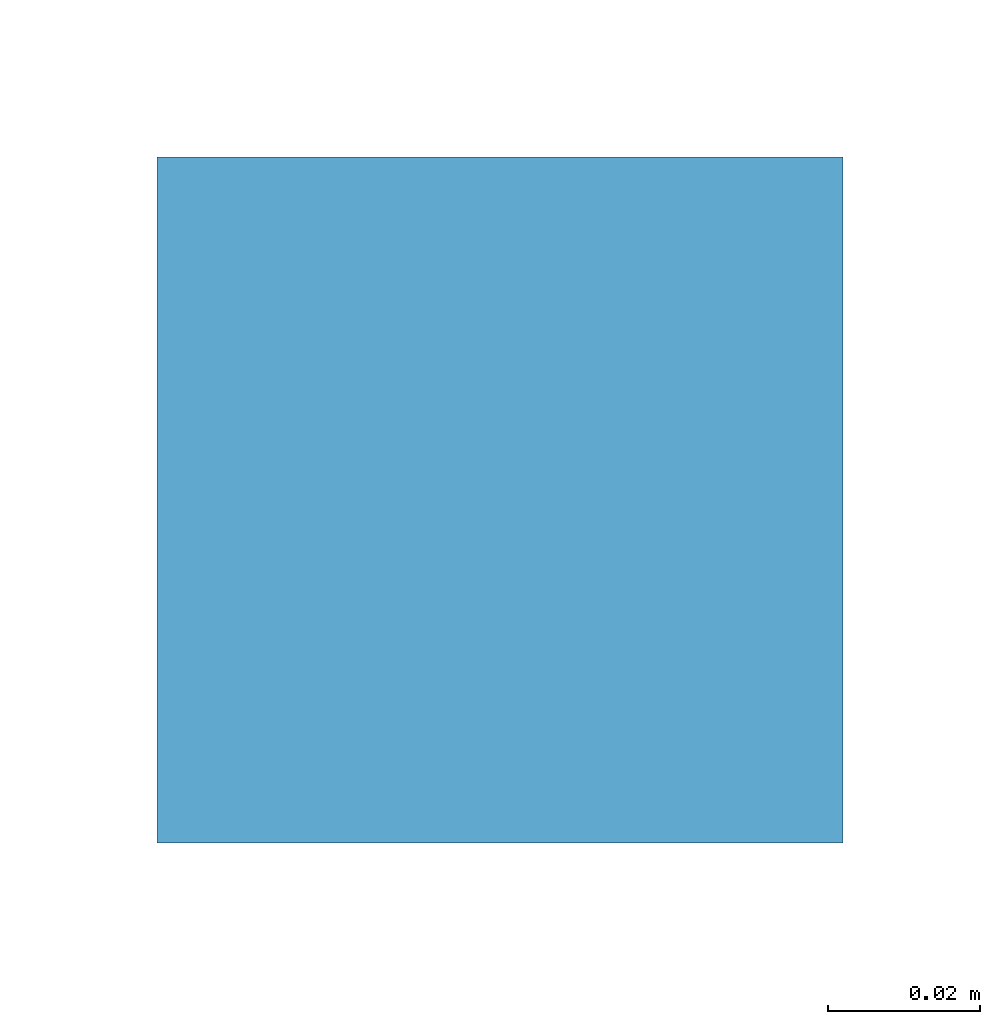
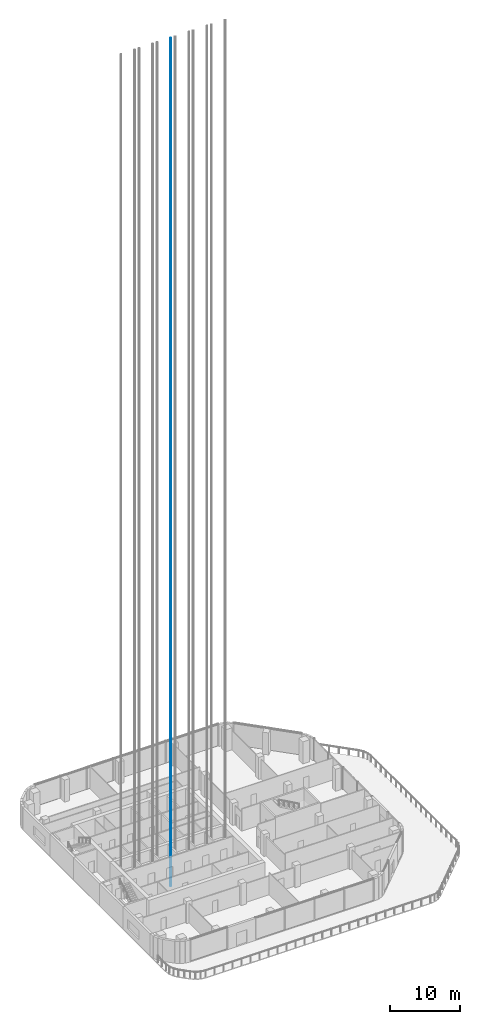
# One storey, part 10 of 29: 1 member.
"""IFC4 building model written with IfcOpenShell, lengths in metres."""

from ifc_helpers import new_model, si_unit, direction, frame, origin, origin_2d, place, context, subcontext, project, spatial, rectangle, extrude, material, material_profile, profile_set, type_object, element, save


model = new_model("IFC4")

# Units and contexts
model_context = context("Model", 3, precision=1e-05, world=origin(), true_north=direction((0.0, 1.0)))
body_context = subcontext(model_context, "Body", "Model", "MODEL_VIEW")
ifc_project = project(units=[si_unit("LENGTHUNIT", "METRE"), si_unit("AREAUNIT", "SQUARE_METRE"), si_unit("VOLUMEUNIT", "CUBIC_METRE"), si_unit("PLANEANGLEUNIT", "RADIAN"), si_unit("MASSUNIT", "GRAM", prefix="KILO")], contexts=[model_context])

# Site, building, storey
site_placement = place(None, origin())
site = spatial("IfcSite", under=ifc_project, at=site_placement, CompositionType="ELEMENT")
building_placement = place(site_placement, origin())
building = spatial("IfcBuilding", under=site, at=building_placement, Name="Cinnabar Reach Civic Tower", CompositionType="ELEMENT")
storey_placement = place(building_placement, frame((0.0, 0.0, 149.0)))
storey = spatial("IfcBuildingStorey", under=building, at=storey_placement, Name="L35", CompositionType="ELEMENT", Elevation=149.0)

# Member
ifc_material = material(Name="Steel Q355B", Category="steel")
ifc_material_profile = material_profile(ifc_material, rectangle(XDim=0.09, YDim=0.09, at=origin_2d()), Name="T1 lift guide rail")
ifc_profile_set = profile_set([ifc_material_profile], Name="Steel Q355B")
member_type = type_object("IfcMemberType", Name="T1 lift guide rail", PredefinedType="USERDEFINED", material=ifc_profile_set)
member_placement = place(storey_placement, frame((13.13, 30.0, -2.5), z_axis=(0.0, 0.0, 1.0), x_axis=(1.0, 0.0, 0.0)))
element("IfcMember", 1, at=member_placement, inside=storey, type_object=member_type, Name="T1-HR3 guide rail 2", ObjectType="GUIDE RAIL", PredefinedType="USERDEFINED", context=body_context, shape_type="SweptSolid", body=[
    extrude(rectangle(XDim=0.09, YDim=0.09, at=origin_2d()), origin(), (0.0, 0.0, 1.0), 148.5),
])

save(model, "model.ifc")
